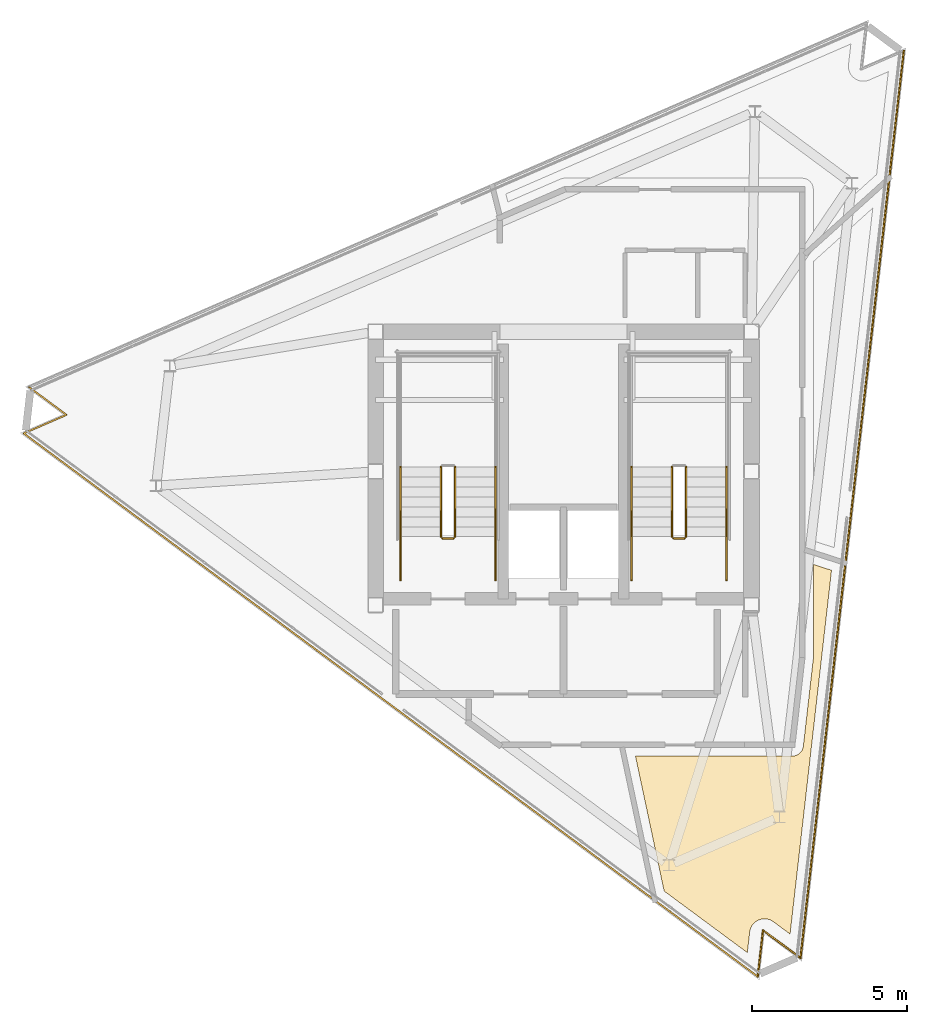
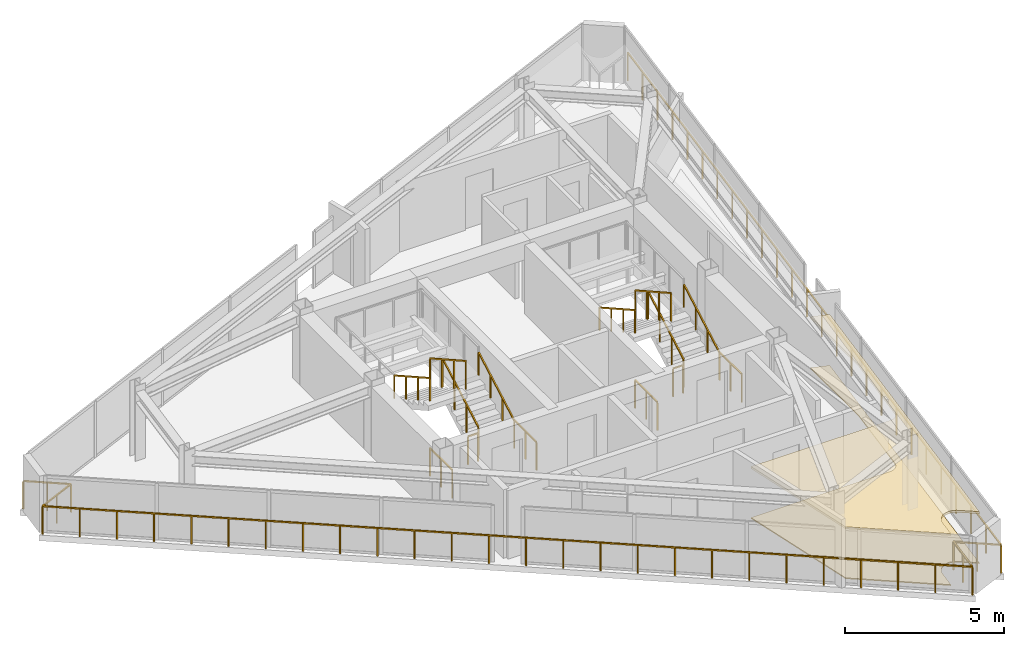
# One storey, part 8 of 9: 16 railings, 2 coverings.
"""IFC4 building model written with IfcOpenShell, lengths in metres."""

from ifc_helpers import new_model, si_unit, direction, frame, origin, origin_2d, place, context, subcontext, project, spatial, polyline, rectangle, outline, extrude, material, layer, layer_set, type_object, element, save


model = new_model("IFC4")

# Units and contexts
model_context = context("Model", 3, precision=1e-05, world=origin(), true_north=direction((0.0, 1.0)))
body_context = subcontext(model_context, "Body", "Model", "MODEL_VIEW")
ifc_project = project(units=[si_unit("LENGTHUNIT", "METRE"), si_unit("AREAUNIT", "SQUARE_METRE"), si_unit("VOLUMEUNIT", "CUBIC_METRE"), si_unit("PLANEANGLEUNIT", "RADIAN"), si_unit("MASSUNIT", "GRAM", prefix="KILO")], contexts=[model_context])

# Site, building, storey
site_placement = place(None, origin())
site = spatial("IfcSite", under=ifc_project, at=site_placement, CompositionType="ELEMENT")
building_placement = place(site_placement, origin())
building = spatial("IfcBuilding", under=site, at=building_placement, Name="Rocaltana Carrier Exchange", CompositionType="ELEMENT")
storey_placement = place(building_placement, frame((0.0, 0.0, 249.1201171875)))
storey = spatial("IfcBuildingStorey", under=building, at=storey_placement, Name="L79", CompositionType="ELEMENT", Elevation=249.1201171875)

# Coverings
ifc_material_1 = material(Name="Honed Bogota Sandstone Tile", Category="masonry")
ifc_layer_1 = layer(ifc_material_1, 0.0400390625)
ifc_layer_set_1 = layer_set([ifc_layer_1], Name="Honed Bogota Sandstone Tile")
covering_type_1 = type_object("IfcCoveringType", Name="Honed Stone Lobby Flooring 40", PredefinedType="FLOORING", material=ifc_layer_set_1)
covering_1_placement = place(storey_placement, origin())
element("IfcCovering", 1, at=covering_1_placement, inside=storey, type_object=covering_type_1, Name="L79 Staff Break Pantry Finish Floor", PredefinedType="FLOORING", context=body_context, shape_type="SweptSolid", body=[
    extrude(outline(polyline([(7.2919921875, -14.889892578125), (6.754638671875, -14.4921875), (6.7431640625, -14.484130859375), (6.7265625, -14.47314453125), (6.70263671875, -14.458740234375), (6.68505859375, -14.449462890625), (6.65966796875, -14.4375), (6.64111328125, -14.43017578125), (6.614990234375, -14.4208984375), (6.595703125, -14.415283203125), (6.568603515625, -14.40869140625), (6.549072265625, -14.40478515625), (6.521484375, -14.40087890625), (6.501708984375, -14.399169921875), (6.4736328125, -14.398193359375), (6.45361328125, -14.3984375), (6.42578125, -14.400146484375), (6.406005859375, -14.40234375), (6.37841796875, -14.40673828125), (6.35888671875, -14.410888671875), (6.33203125, -14.418212890625), (6.31298828125, -14.42431640625), (6.286865234375, -14.43408203125), (6.268798828125, -14.44189453125), (6.24365234375, -14.454345703125), (6.226318359375, -14.464111328125), (6.20263671875, -14.47900390625), (6.186279296875, -14.490478515625), (6.164306640625, -14.507568359375), (6.149169921875, -14.5205078125), (6.12890625, -14.539794921875), (6.114990234375, -14.55419921875), (6.0966796875, -14.5751953125), (6.084716796875, -14.591064453125), (6.068603515625, -14.61376953125), (6.057861328125, -14.630615234375), (6.044189453125, -14.655029296875), (6.035400390625, -14.6728515625), (6.024169921875, -14.698486328125), (6.01708984375, -14.717041015625), (6.00830078125, -14.74365234375), (6.00341796875, -14.762939453125), (5.997314453125, -14.790283203125), (5.994140625, -14.809814453125), (5.9921875, -14.82373046875), (5.91650390625, -15.48779296875), (3.239013671875, -13.506591796875), (2.315185546875, -9.159912109375), (7.36181640625, -9.159912109375), (7.37548828125, -9.15966796875), (7.38330078125, -9.1591796875), (7.410400390625, -9.15673828125), (7.41796875, -9.155517578125), (7.444580078125, -9.150390625), (7.452392578125, -9.1484375), (7.478271484375, -9.140625), (7.485595703125, -9.137939453125), (7.5107421875, -9.127685546875), (7.517822265625, -9.12451171875), (7.5419921875, -9.11181640625), (7.548583984375, -9.10791015625), (7.5712890625, -9.0927734375), (7.577392578125, -9.088134765625), (7.5986328125, -9.071044921875), (7.6044921875, -9.06591796875), (7.623779296875, -9.046875), (7.629150390625, -9.041015625), (7.646484375, -9.020263671875), (7.6513671875, -9.01416015625), (7.66650390625, -8.99169921875), (7.670654296875, -8.985107421875), (7.683837890625, -8.961181640625), (7.687255859375, -8.9541015625), (7.697998046875, -8.92919921875), (7.70068359375, -8.921875), (7.708740234375, -8.89599609375), (7.710693359375, -8.888427734375), (7.716552734375, -8.86181640625), (7.7177734375, -8.854248046875), (7.719482421875, -8.8408203125), (8.03759765625, -6.049072265625), (8.0390625, -6.033203125), (8.03955078125, -6.024169921875), (8.0400390625, -6.00830078125), (8.0400390625, -2.990966796875), (8.626220703125, -3.181396484375), (7.2919921875, -14.889892578125)])), origin(), (0.0, 0.0, 1.0), 0.039794921875),
])
ifc_material_2 = material(Name="Anodised Aluminium 6063-T6", Category="aluminium")
ifc_layer_2 = layer(ifc_material_2, 0.0849609375)
ifc_layer_set_2 = layer_set([ifc_layer_2], Name="Anodised Aluminium 6063-T6")
covering_type_2 = type_object("IfcCoveringType", Name="Linear Baffle Acoustic Ceiling 85", PredefinedType="CEILING", material=ifc_layer_set_2)
covering_2_placement = place(storey_placement, frame((0.0, 0.0, 1.912841796875)))
element("IfcCovering", 2, at=covering_2_placement, inside=storey, type_object=covering_type_2, Name="L79 Staff Break Pantry Acoustic Ceiling", PredefinedType="CEILING", context=body_context, shape_type="SweptSolid", body=[
    extrude(outline(polyline([(7.2919921875, -14.889892578125), (6.754638671875, -14.4921875), (6.7431640625, -14.484130859375), (6.7265625, -14.47314453125), (6.70263671875, -14.458740234375), (6.68505859375, -14.449462890625), (6.65966796875, -14.4375), (6.64111328125, -14.43017578125), (6.614990234375, -14.4208984375), (6.595703125, -14.415283203125), (6.568603515625, -14.40869140625), (6.549072265625, -14.40478515625), (6.521484375, -14.40087890625), (6.501708984375, -14.399169921875), (6.4736328125, -14.398193359375), (6.45361328125, -14.3984375), (6.42578125, -14.400146484375), (6.406005859375, -14.40234375), (6.37841796875, -14.40673828125), (6.35888671875, -14.410888671875), (6.33203125, -14.418212890625), (6.31298828125, -14.42431640625), (6.286865234375, -14.43408203125), (6.268798828125, -14.44189453125), (6.24365234375, -14.454345703125), (6.226318359375, -14.464111328125), (6.20263671875, -14.47900390625), (6.186279296875, -14.490478515625), (6.164306640625, -14.507568359375), (6.149169921875, -14.5205078125), (6.12890625, -14.539794921875), (6.114990234375, -14.55419921875), (6.0966796875, -14.5751953125), (6.084716796875, -14.591064453125), (6.068603515625, -14.61376953125), (6.057861328125, -14.630615234375), (6.044189453125, -14.655029296875), (6.035400390625, -14.6728515625), (6.024169921875, -14.698486328125), (6.01708984375, -14.717041015625), (6.00830078125, -14.74365234375), (6.00341796875, -14.762939453125), (5.997314453125, -14.790283203125), (5.994140625, -14.809814453125), (5.9921875, -14.82373046875), (5.91650390625, -15.48779296875), (3.239013671875, -13.506591796875), (2.315185546875, -9.159912109375), (7.36181640625, -9.159912109375), (7.37548828125, -9.15966796875), (7.38330078125, -9.1591796875), (7.410400390625, -9.15673828125), (7.41796875, -9.155517578125), (7.444580078125, -9.150390625), (7.452392578125, -9.1484375), (7.478271484375, -9.140625), (7.485595703125, -9.137939453125), (7.5107421875, -9.127685546875), (7.517822265625, -9.12451171875), (7.5419921875, -9.11181640625), (7.548583984375, -9.10791015625), (7.5712890625, -9.0927734375), (7.577392578125, -9.088134765625), (7.5986328125, -9.071044921875), (7.6044921875, -9.06591796875), (7.623779296875, -9.046875), (7.629150390625, -9.041015625), (7.646484375, -9.020263671875), (7.6513671875, -9.01416015625), (7.66650390625, -8.99169921875), (7.670654296875, -8.985107421875), (7.683837890625, -8.961181640625), (7.687255859375, -8.9541015625), (7.697998046875, -8.92919921875), (7.70068359375, -8.921875), (7.708740234375, -8.89599609375), (7.710693359375, -8.888427734375), (7.716552734375, -8.86181640625), (7.7177734375, -8.854248046875), (7.719482421875, -8.8408203125), (8.03759765625, -6.049072265625), (8.0390625, -6.033203125), (8.03955078125, -6.024169921875), (8.0400390625, -6.00830078125), (8.0400390625, -2.990966796875), (8.626220703125, -3.181396484375), (7.2919921875, -14.889892578125)])), origin(), (0.0, 0.0, 1.0), 0.0849609375),
])

# Railings
ifc_material_3 = material(Name="Brushed Architectural Stainless Tube", Category="steel")
ifc_layer_3 = layer(ifc_material_3, 0.048095703125)
ifc_layer_set_3 = layer_set([ifc_layer_3], Name="Brushed Architectural Stainless Tube")
railing_type_1 = type_object("IfcRailingType", Name="Stair Wall Handrail 920", PredefinedType="HANDRAIL", material=ifc_layer_set_3)
railing_1_placement = place(storey_placement, frame((-2.18994140625, -2.10009765625, 0.179931640625)))
element("IfcRailing", 3, at=railing_1_placement, inside=storey, type_object=railing_type_1, Name="L79 ST-1 stair handrail 1", PredefinedType="HANDRAIL", context=body_context, shape_type="SweptSolid", body=[
    extrude(rectangle(XDim=0.048095703125, YDim=0.048095703125, at=origin_2d()), frame((0.0, 0.0, 0.8759765625), z_axis=(0.0, 0.871573000172, 0.490265749743), x_axis=(-1.0, 0.0, 0.0)), (0.0, 0.0, 1.0), 2.570068359375),
    extrude(rectangle(XDim=0.0419921875, YDim=0.0419921875, at=origin_2d()), origin(), (0.0, 0.0, 1.0), 0.851806640625),
    extrude(rectangle(XDim=0.0419921875, YDim=0.0419921875, at=origin_2d()), frame((0.0, 0.74658203125, 0.419921875)), (0.0, 0.0, 1.0), 0.851806640625),
    extrude(rectangle(XDim=0.0419921875, YDim=0.0419921875, at=origin_2d()), frame((0.0, 1.493408203125, 0.840087890625)), (0.0, 0.0, 1.0), 0.851806640625),
    extrude(rectangle(XDim=0.0419921875, YDim=0.0419921875, at=origin_2d()), frame((0.0, 2.239990234375, 1.260009765625)), (0.0, 0.0, 1.0), 0.851806640625),
])
railing_2_placement = place(storey_placement, frame((-5.25, 0.139892578125, 1.619873046875)))
element("IfcRailing", 4, at=railing_2_placement, inside=storey, type_object=railing_type_1, Name="L79 ST-1 stair handrail 2", PredefinedType="HANDRAIL", context=body_context, shape_type="SweptSolid", body=[
    extrude(rectangle(XDim=0.048095703125, YDim=0.048095703125, at=origin_2d()), frame((0.0, 0.0, 0.8759765625), z_axis=(0.0, -0.871573000172, 0.490265749743), x_axis=(1.0, 0.0, 0.0)), (0.0, 0.0, 1.0), 2.570068359375),
    extrude(rectangle(XDim=0.0419921875, YDim=0.0419921875, at=origin_2d()), origin(), (0.0, 0.0, 1.0), 0.851806640625),
    extrude(rectangle(XDim=0.0419921875, YDim=0.0419921875, at=origin_2d()), frame((0.0, -0.74658203125, 0.419921875)), (0.0, 0.0, 1.0), 0.851806640625),
    extrude(rectangle(XDim=0.0419921875, YDim=0.0419921875, at=origin_2d()), frame((0.0, -1.493408203125, 0.840087890625)), (0.0, 0.0, 1.0), 0.851806640625),
    extrude(rectangle(XDim=0.0419921875, YDim=0.0419921875, at=origin_2d()), frame((0.0, -2.239990234375, 1.260009765625)), (0.0, 0.0, 1.0), 0.851806640625),
])
railing_3_placement = place(storey_placement, frame((5.25, -2.10009765625, 0.179931640625)))
element("IfcRailing", 5, at=railing_3_placement, inside=storey, type_object=railing_type_1, Name="L79 ST-2 stair handrail 1", PredefinedType="HANDRAIL", context=body_context, shape_type="SweptSolid", body=[
    extrude(rectangle(XDim=0.048095703125, YDim=0.048095703125, at=origin_2d()), frame((0.0, 0.0, 0.8759765625), z_axis=(0.0, 0.871573000172, 0.490265749743), x_axis=(-1.0, 0.0, 0.0)), (0.0, 0.0, 1.0), 2.570068359375),
    extrude(rectangle(XDim=0.0419921875, YDim=0.0419921875, at=origin_2d()), origin(), (0.0, 0.0, 1.0), 0.851806640625),
    extrude(rectangle(XDim=0.0419921875, YDim=0.0419921875, at=origin_2d()), frame((0.0, 0.74658203125, 0.419921875)), (0.0, 0.0, 1.0), 0.851806640625),
    extrude(rectangle(XDim=0.0419921875, YDim=0.0419921875, at=origin_2d()), frame((0.0, 1.493408203125, 0.840087890625)), (0.0, 0.0, 1.0), 0.851806640625),
    extrude(rectangle(XDim=0.0419921875, YDim=0.0419921875, at=origin_2d()), frame((0.0, 2.239990234375, 1.260009765625)), (0.0, 0.0, 1.0), 0.851806640625),
])
railing_4_placement = place(storey_placement, frame((2.18994140625, 0.139892578125, 1.619873046875)))
element("IfcRailing", 6, at=railing_4_placement, inside=storey, type_object=railing_type_1, Name="L79 ST-2 stair handrail 2", PredefinedType="HANDRAIL", context=body_context, shape_type="SweptSolid", body=[
    extrude(rectangle(XDim=0.048095703125, YDim=0.048095703125, at=origin_2d()), frame((0.0, 0.0, 0.8759765625), z_axis=(0.0, -0.871573000172, 0.490265749743), x_axis=(1.0, 0.0, 0.0)), (0.0, 0.0, 1.0), 2.570068359375),
    extrude(rectangle(XDim=0.0419921875, YDim=0.0419921875, at=origin_2d()), origin(), (0.0, 0.0, 1.0), 0.851806640625),
    extrude(rectangle(XDim=0.0419921875, YDim=0.0419921875, at=origin_2d()), frame((0.0, -0.74658203125, 0.419921875)), (0.0, 0.0, 1.0), 0.851806640625),
    extrude(rectangle(XDim=0.0419921875, YDim=0.0419921875, at=origin_2d()), frame((0.0, -1.493408203125, 0.840087890625)), (0.0, 0.0, 1.0), 0.851806640625),
    extrude(rectangle(XDim=0.0419921875, YDim=0.0419921875, at=origin_2d()), frame((0.0, -2.239990234375, 1.260009765625)), (0.0, 0.0, 1.0), 0.851806640625),
])
ifc_material_4 = material(Name="Powder-Coated Aluminium 6063-T6", Category="aluminium")
ifc_layer_4 = layer(ifc_material_4, 0.048095703125)
ifc_layer_set_4 = layer_set([ifc_layer_4], Name="Powder-Coated Aluminium 6063-T6")
railing_type_2 = type_object("IfcRailingType", Name="Stair Well Guardrail 1100", PredefinedType="GUARDRAIL", material=ifc_layer_set_4)
railing_5_placement = place(storey_placement, frame((-3.489990234375, -2.10009765625, 0.179931640625)))
element("IfcRailing", 7, at=railing_5_placement, inside=storey, type_object=railing_type_2, Name="L79 ST-1 stair guard 1", PredefinedType="GUARDRAIL", context=body_context, shape_type="SweptSolid", body=[
    extrude(rectangle(XDim=0.048095703125, YDim=0.048095703125, at=origin_2d()), frame((0.0, 0.0, 1.076171875), z_axis=(0.0, 0.871573000172, 0.490265749743), x_axis=(-1.0, 0.0, 0.0)), (0.0, 0.0, 1.0), 2.570068359375),
    extrude(rectangle(XDim=0.0419921875, YDim=0.0419921875, at=origin_2d()), origin(), (0.0, 0.0, 1.0), 1.052001953125),
    extrude(rectangle(XDim=0.0419921875, YDim=0.0419921875, at=origin_2d()), frame((0.0, 0.74658203125, 0.419921875)), (0.0, 0.0, 1.0), 1.052001953125),
    extrude(rectangle(XDim=0.0419921875, YDim=0.0419921875, at=origin_2d()), frame((0.0, 1.493408203125, 0.840087890625)), (0.0, 0.0, 1.0), 1.052001953125),
    extrude(rectangle(XDim=0.0419921875, YDim=0.0419921875, at=origin_2d()), frame((0.0, 2.239990234375, 1.260009765625)), (0.0, 0.0, 1.0), 1.052001953125),
])
railing_6_placement = place(storey_placement, frame((-3.949951171875, 0.139892578125, 1.619873046875)))
element("IfcRailing", 8, at=railing_6_placement, inside=storey, type_object=railing_type_2, Name="L79 ST-1 stair guard 6", PredefinedType="GUARDRAIL", context=body_context, shape_type="SweptSolid", body=[
    extrude(rectangle(XDim=0.048095703125, YDim=0.048095703125, at=origin_2d()), frame((0.0, 0.0, 1.076171875), z_axis=(0.0, -0.871573000172, 0.490265749743), x_axis=(1.0, 0.0, 0.0)), (0.0, 0.0, 1.0), 2.570068359375),
    extrude(rectangle(XDim=0.0419921875, YDim=0.0419921875, at=origin_2d()), origin(), (0.0, 0.0, 1.0), 1.052001953125),
    extrude(rectangle(XDim=0.0419921875, YDim=0.0419921875, at=origin_2d()), frame((0.0, -0.74658203125, 0.419921875)), (0.0, 0.0, 1.0), 1.052001953125),
    extrude(rectangle(XDim=0.0419921875, YDim=0.0419921875, at=origin_2d()), frame((0.0, -1.493408203125, 0.840087890625)), (0.0, 0.0, 1.0), 1.052001953125),
    extrude(rectangle(XDim=0.0419921875, YDim=0.0419921875, at=origin_2d()), frame((0.0, -2.239990234375, 1.260009765625)), (0.0, 0.0, 1.0), 1.052001953125),
])
railing_7_placement = place(storey_placement, frame((-3.5400390625, -2.14990234375, 0.0)))
element("IfcRailing", 9, at=railing_7_placement, inside=storey, type_object=railing_type_2, Name="L79 ST-1 stair guard 7", PredefinedType="GUARDRAIL", context=body_context, shape_type="SweptSolid", body=[
    extrude(rectangle(XDim=0.048095703125, YDim=0.048095703125, at=origin_2d()), frame((0.0, 0.0, 1.076171875), z_axis=(-1.0, 0.0, 0.0), x_axis=(0.0, -1.0, 0.0)), (0.0, 0.0, 1.0), 0.35986328125),
    extrude(rectangle(XDim=0.0419921875, YDim=0.0419921875, at=origin_2d()), origin(), (0.0, 0.0, 1.0), 1.052001953125),
    extrude(rectangle(XDim=0.0419921875, YDim=0.0419921875, at=origin_2d()), frame((-0.35986328125, 0.0, 0.0)), (0.0, 0.0, 1.0), 1.052001953125),
])
for number, where, name in (
    (10, (-2.18994140625, -3.5, 0.0), "L79 ST-1 stair guard 8"),
    (11, (-5.25, -3.5, 0.0), "L79 ST-1 stair guard 9"),
):
    element("IfcRailing", number, at=place(storey_placement, frame(where)), inside=storey, type_object=railing_type_2, Name=name, PredefinedType="GUARDRAIL", context=body_context, shape_type="SweptSolid", body=[
        extrude(rectangle(XDim=0.048095703125, YDim=0.048095703125, at=origin_2d()), frame((0.0, 0.0, 1.076171875), z_axis=(0.0, 1.0, 0.0), x_axis=(-1.0, 0.0, 0.0)), (0.0, 0.0, 1.0), 1.39990234375),
        extrude(rectangle(XDim=0.0419921875, YDim=0.0419921875, at=origin_2d()), origin(), (0.0, 0.0, 1.0), 1.052001953125),
        extrude(rectangle(XDim=0.0419921875, YDim=0.0419921875, at=origin_2d()), frame((0.0, 0.699951171875, 0.0)), (0.0, 0.0, 1.0), 1.052001953125),
        extrude(rectangle(XDim=0.0419921875, YDim=0.0419921875, at=origin_2d()), frame((0.0, 1.39990234375, 0.0)), (0.0, 0.0, 1.0), 1.052001953125),
    ])
railing_8_placement = place(storey_placement, frame((3.949951171875, -2.10009765625, 0.179931640625)))
element("IfcRailing", 12, at=railing_8_placement, inside=storey, type_object=railing_type_2, Name="L79 ST-2 stair guard 1", PredefinedType="GUARDRAIL", context=body_context, shape_type="SweptSolid", body=[
    extrude(rectangle(XDim=0.048095703125, YDim=0.048095703125, at=origin_2d()), frame((0.0, 0.0, 1.076171875), z_axis=(0.0, 0.871573000172, 0.490265749743), x_axis=(-1.0, 0.0, 0.0)), (0.0, 0.0, 1.0), 2.570068359375),
    extrude(rectangle(XDim=0.0419921875, YDim=0.0419921875, at=origin_2d()), origin(), (0.0, 0.0, 1.0), 1.052001953125),
    extrude(rectangle(XDim=0.0419921875, YDim=0.0419921875, at=origin_2d()), frame((0.0, 0.74658203125, 0.419921875)), (0.0, 0.0, 1.0), 1.052001953125),
    extrude(rectangle(XDim=0.0419921875, YDim=0.0419921875, at=origin_2d()), frame((0.0, 1.493408203125, 0.840087890625)), (0.0, 0.0, 1.0), 1.052001953125),
    extrude(rectangle(XDim=0.0419921875, YDim=0.0419921875, at=origin_2d()), frame((0.0, 2.239990234375, 1.260009765625)), (0.0, 0.0, 1.0), 1.052001953125),
])
railing_9_placement = place(storey_placement, frame((3.489990234375, 0.139892578125, 1.619873046875)))
element("IfcRailing", 13, at=railing_9_placement, inside=storey, type_object=railing_type_2, Name="L79 ST-2 stair guard 6", PredefinedType="GUARDRAIL", context=body_context, shape_type="SweptSolid", body=[
    extrude(rectangle(XDim=0.048095703125, YDim=0.048095703125, at=origin_2d()), frame((0.0, 0.0, 1.076171875), z_axis=(0.0, -0.871573000172, 0.490265749743), x_axis=(1.0, 0.0, 0.0)), (0.0, 0.0, 1.0), 2.570068359375),
    extrude(rectangle(XDim=0.0419921875, YDim=0.0419921875, at=origin_2d()), origin(), (0.0, 0.0, 1.0), 1.052001953125),
    extrude(rectangle(XDim=0.0419921875, YDim=0.0419921875, at=origin_2d()), frame((0.0, -0.74658203125, 0.419921875)), (0.0, 0.0, 1.0), 1.052001953125),
    extrude(rectangle(XDim=0.0419921875, YDim=0.0419921875, at=origin_2d()), frame((0.0, -1.493408203125, 0.840087890625)), (0.0, 0.0, 1.0), 1.052001953125),
    extrude(rectangle(XDim=0.0419921875, YDim=0.0419921875, at=origin_2d()), frame((0.0, -2.239990234375, 1.260009765625)), (0.0, 0.0, 1.0), 1.052001953125),
])
railing_10_placement = place(storey_placement, frame((3.89990234375, -2.14990234375, 0.0)))
element("IfcRailing", 14, at=railing_10_placement, inside=storey, type_object=railing_type_2, Name="L79 ST-2 stair guard 7", PredefinedType="GUARDRAIL", context=body_context, shape_type="SweptSolid", body=[
    extrude(rectangle(XDim=0.048095703125, YDim=0.048095703125, at=origin_2d()), frame((0.0, 0.0, 1.076171875), z_axis=(-1.0, 0.0, 0.0), x_axis=(0.0, -1.0, 0.0)), (0.0, 0.0, 1.0), 0.35986328125),
    extrude(rectangle(XDim=0.0419921875, YDim=0.0419921875, at=origin_2d()), origin(), (0.0, 0.0, 1.0), 1.052001953125),
    extrude(rectangle(XDim=0.0419921875, YDim=0.0419921875, at=origin_2d()), frame((-0.35986328125, 0.0, 0.0)), (0.0, 0.0, 1.0), 1.052001953125),
])
for number, where, name in (
    (15, (5.25, -3.5, 0.0), "L79 ST-2 stair guard 8"),
    (16, (2.18994140625, -3.5, 0.0), "L79 ST-2 stair guard 9"),
):
    element("IfcRailing", number, at=place(storey_placement, frame(where)), inside=storey, type_object=railing_type_2, Name=name, PredefinedType="GUARDRAIL", context=body_context, shape_type="SweptSolid", body=[
        extrude(rectangle(XDim=0.048095703125, YDim=0.048095703125, at=origin_2d()), frame((0.0, 0.0, 1.076171875), z_axis=(0.0, 1.0, 0.0), x_axis=(-1.0, 0.0, 0.0)), (0.0, 0.0, 1.0), 1.39990234375),
        extrude(rectangle(XDim=0.0419921875, YDim=0.0419921875, at=origin_2d()), origin(), (0.0, 0.0, 1.0), 1.052001953125),
        extrude(rectangle(XDim=0.0419921875, YDim=0.0419921875, at=origin_2d()), frame((0.0, 0.699951171875, 0.0)), (0.0, 0.0, 1.0), 1.052001953125),
        extrude(rectangle(XDim=0.0419921875, YDim=0.0419921875, at=origin_2d()), frame((0.0, 1.39990234375, 0.0)), (0.0, 0.0, 1.0), 1.052001953125),
    ])
ifc_material_5 = material(Name="Powder-Coated Aluminium 6063-T6", Category="aluminium")
ifc_layer_5 = layer(ifc_material_5, 0.06005859375)
ifc_layer_set_5 = layer_set([ifc_layer_5], Name="Powder-Coated Aluminium 6063-T6")
railing_type_3 = type_object("IfcRailingType", Name="Wind-Floor & Terrace Perimeter Guardrail 1100", PredefinedType="GUARDRAIL", material=ifc_layer_set_5)
railing_11_placement = place(storey_placement, frame((6.25146484375, -16.25830078125, 0.0)))
element("IfcRailing", 17, at=railing_11_placement, inside=storey, type_object=railing_type_3, Name="L79 Perimeter Balcony Guardrail 1", PredefinedType="GUARDRAIL", context=body_context, shape_type="SweptSolid", body=[
    extrude(rectangle(XDim=0.048095703125, YDim=0.048095703125, at=origin_2d()), frame((0.0, 0.0, 1.076171875), z_axis=(-0.803854767515, 0.594825615406, 0.0), x_axis=(-0.594825615406, -0.803854767515, 0.0)), (0.0, 0.0, 1.0), 29.39208984375),
    extrude(rectangle(XDim=0.048095703125, YDim=0.048095703125, at=origin_2d()), frame((-23.626953125, 17.483154296875, 1.076171875), z_axis=(0.917044176795, 0.398785628887, 0.0), x_axis=(-0.398785628887, 0.917044176795, 0.0)), (0.0, 0.0, 1.0), 1.5),
    extrude(rectangle(XDim=0.048095703125, YDim=0.048095703125, at=origin_2d()), frame((-22.25146484375, 18.081298828125, 1.076171875), z_axis=(-0.803908826949, 0.594752551867, 0.0), x_axis=(-0.594752551867, -0.803908826949, 0.0)), (0.0, 0.0, 1.0), 1.5),
    extrude(rectangle(XDim=0.0419921875, YDim=0.0419921875, at=origin_2d()), origin(), (0.0, 0.0, 1.0), 1.052001953125),
    extrude(rectangle(XDim=0.0419921875, YDim=0.0419921875, at=origin_2d()), frame((-0.945068359375, 0.69921875, 0.0)), (0.0, 0.0, 1.0), 1.052001953125),
    extrude(rectangle(XDim=0.0419921875, YDim=0.0419921875, at=origin_2d()), frame((-1.89013671875, 1.398681640625, 0.0)), (0.0, 0.0, 1.0), 1.052001953125),
    extrude(rectangle(XDim=0.0419921875, YDim=0.0419921875, at=origin_2d()), frame((-2.835205078125, 2.097900390625, 0.0)), (0.0, 0.0, 1.0), 1.052001953125),
    extrude(rectangle(XDim=0.0419921875, YDim=0.0419921875, at=origin_2d()), frame((-3.7802734375, 2.79736328125, 0.0)), (0.0, 0.0, 1.0), 1.052001953125),
    extrude(rectangle(XDim=0.0419921875, YDim=0.0419921875, at=origin_2d()), frame((-4.725341796875, 3.49658203125, 0.0)), (0.0, 0.0, 1.0), 1.052001953125),
    extrude(rectangle(XDim=0.0419921875, YDim=0.0419921875, at=origin_2d()), frame((-5.67041015625, 4.196044921875, 0.0)), (0.0, 0.0, 1.0), 1.052001953125),
    extrude(rectangle(XDim=0.0419921875, YDim=0.0419921875, at=origin_2d()), frame((-6.615478515625, 4.895263671875, 0.0)), (0.0, 0.0, 1.0), 1.052001953125),
    extrude(rectangle(XDim=0.0419921875, YDim=0.0419921875, at=origin_2d()), frame((-7.560546875, 5.5947265625, 0.0)), (0.0, 0.0, 1.0), 1.052001953125),
    extrude(rectangle(XDim=0.0419921875, YDim=0.0419921875, at=origin_2d()), frame((-8.505615234375, 6.2939453125, 0.0)), (0.0, 0.0, 1.0), 1.052001953125),
    extrude(rectangle(XDim=0.0419921875, YDim=0.0419921875, at=origin_2d()), frame((-9.45068359375, 6.9931640625, 0.0)), (0.0, 0.0, 1.0), 1.052001953125),
    extrude(rectangle(XDim=0.0419921875, YDim=0.0419921875, at=origin_2d()), frame((-10.395751953125, 7.692626953125, 0.0)), (0.0, 0.0, 1.0), 1.052001953125),
    extrude(rectangle(XDim=0.0419921875, YDim=0.0419921875, at=origin_2d()), frame((-11.3408203125, 8.391845703125, 0.0)), (0.0, 0.0, 1.0), 1.052001953125),
    extrude(rectangle(XDim=0.0419921875, YDim=0.0419921875, at=origin_2d()), frame((-12.2861328125, 9.09130859375, 0.0)), (0.0, 0.0, 1.0), 1.052001953125),
    extrude(rectangle(XDim=0.0419921875, YDim=0.0419921875, at=origin_2d()), frame((-13.231201171875, 9.79052734375, 0.0)), (0.0, 0.0, 1.0), 1.052001953125),
    extrude(rectangle(XDim=0.0419921875, YDim=0.0419921875, at=origin_2d()), frame((-14.17626953125, 10.489990234375, 0.0)), (0.0, 0.0, 1.0), 1.052001953125),
    extrude(rectangle(XDim=0.0419921875, YDim=0.0419921875, at=origin_2d()), frame((-15.121337890625, 11.189208984375, 0.0)), (0.0, 0.0, 1.0), 1.052001953125),
    extrude(rectangle(XDim=0.0419921875, YDim=0.0419921875, at=origin_2d()), frame((-16.06640625, 11.888427734375, 0.0)), (0.0, 0.0, 1.0), 1.052001953125),
    extrude(rectangle(XDim=0.0419921875, YDim=0.0419921875, at=origin_2d()), frame((-17.011474609375, 12.587890625, 0.0)), (0.0, 0.0, 1.0), 1.052001953125),
    extrude(rectangle(XDim=0.0419921875, YDim=0.0419921875, at=origin_2d()), frame((-17.95654296875, 13.287109375, 0.0)), (0.0, 0.0, 1.0), 1.052001953125),
    extrude(rectangle(XDim=0.0419921875, YDim=0.0419921875, at=origin_2d()), frame((-18.901611328125, 13.986572265625, 0.0)), (0.0, 0.0, 1.0), 1.052001953125),
    extrude(rectangle(XDim=0.0419921875, YDim=0.0419921875, at=origin_2d()), frame((-19.8466796875, 14.685791015625, 0.0)), (0.0, 0.0, 1.0), 1.052001953125),
    extrude(rectangle(XDim=0.0419921875, YDim=0.0419921875, at=origin_2d()), frame((-20.791748046875, 15.38525390625, 0.0)), (0.0, 0.0, 1.0), 1.052001953125),
    extrude(rectangle(XDim=0.0419921875, YDim=0.0419921875, at=origin_2d()), frame((-21.73681640625, 16.08447265625, 0.0)), (0.0, 0.0, 1.0), 1.052001953125),
    extrude(rectangle(XDim=0.0419921875, YDim=0.0419921875, at=origin_2d()), frame((-22.681884765625, 16.783935546875, 0.0)), (0.0, 0.0, 1.0), 1.052001953125),
    extrude(rectangle(XDim=0.0419921875, YDim=0.0419921875, at=origin_2d()), frame((-23.626953125, 17.483154296875, 0.0)), (0.0, 0.0, 1.0), 1.052001953125),
    extrude(rectangle(XDim=0.0419921875, YDim=0.0419921875, at=origin_2d()), frame((-22.939208984375, 17.7822265625, 0.0)), (0.0, 0.0, 1.0), 1.052001953125),
    extrude(rectangle(XDim=0.0419921875, YDim=0.0419921875, at=origin_2d()), frame((-22.25146484375, 18.081298828125, 0.0)), (0.0, 0.0, 1.0), 1.052001953125),
    extrude(rectangle(XDim=0.0419921875, YDim=0.0419921875, at=origin_2d()), frame((-22.8544921875, 18.52734375, 0.0)), (0.0, 0.0, 1.0), 1.052001953125),
    extrude(rectangle(XDim=0.0419921875, YDim=0.0419921875, at=origin_2d()), frame((-23.457275390625, 18.973388671875, 0.0)), (0.0, 0.0, 1.0), 1.052001953125),
])
railing_12_placement = place(storey_placement, frame((10.954345703125, 13.54296875, 0.0)))
element("IfcRailing", 18, at=railing_12_placement, inside=storey, type_object=railing_type_3, Name="L79 Perimeter Balcony Guardrail 3", PredefinedType="GUARDRAIL", context=body_context, shape_type="SweptSolid", body=[
    extrude(rectangle(XDim=0.048095703125, YDim=0.048095703125, at=origin_2d()), frame((0.0, 0.0, 1.076171875), z_axis=(-0.113207135592, -0.993571408833, 0.0), x_axis=(0.993571408833, -0.113207135592, 0.0)), (0.0, 0.0, 1.0), 29.39208984375),
    extrude(rectangle(XDim=0.048095703125, YDim=0.048095703125, at=origin_2d()), frame((-3.327392578125, -29.203125, 1.076171875), z_axis=(-0.803908826949, 0.594752551867, 0.0), x_axis=(-0.594752551867, -0.803908826949, 0.0)), (0.0, 0.0, 1.0), 1.5),
    extrude(rectangle(XDim=0.048095703125, YDim=0.048095703125, at=origin_2d()), frame((-4.533203125, -28.31103515625, 1.076171875), z_axis=(-0.113128821835, -0.993580328746, 0.0), x_axis=(0.993580328746, -0.113128821835, 0.0)), (0.0, 0.0, 1.0), 1.499755859375),
    extrude(rectangle(XDim=0.0419921875, YDim=0.0419921875, at=origin_2d()), origin(), (0.0, 0.0, 1.0), 1.052001953125),
    extrude(rectangle(XDim=0.0419921875, YDim=0.0419921875, at=origin_2d()), frame((-0.133056640625, -1.168212890625, 0.0)), (0.0, 0.0, 1.0), 1.052001953125),
    extrude(rectangle(XDim=0.0419921875, YDim=0.0419921875, at=origin_2d()), frame((-0.26611328125, -2.336181640625, 0.0)), (0.0, 0.0, 1.0), 1.052001953125),
    extrude(rectangle(XDim=0.0419921875, YDim=0.0419921875, at=origin_2d()), frame((-0.399169921875, -3.50439453125, 0.0)), (0.0, 0.0, 1.0), 1.052001953125),
    extrude(rectangle(XDim=0.0419921875, YDim=0.0419921875, at=origin_2d()), frame((-0.532470703125, -4.672607421875, 0.0)), (0.0, 0.0, 1.0), 1.052001953125),
    extrude(rectangle(XDim=0.0419921875, YDim=0.0419921875, at=origin_2d()), frame((-0.66552734375, -5.840576171875, 0.0)), (0.0, 0.0, 1.0), 1.052001953125),
    extrude(rectangle(XDim=0.0419921875, YDim=0.0419921875, at=origin_2d()), frame((-0.798583984375, -7.0087890625, 0.0)), (0.0, 0.0, 1.0), 1.052001953125),
    extrude(rectangle(XDim=0.0419921875, YDim=0.0419921875, at=origin_2d()), frame((-0.931640625, -8.1767578125, 0.0)), (0.0, 0.0, 1.0), 1.052001953125),
    extrude(rectangle(XDim=0.0419921875, YDim=0.0419921875, at=origin_2d()), frame((-1.064697265625, -9.344970703125, 0.0)), (0.0, 0.0, 1.0), 1.052001953125),
    extrude(rectangle(XDim=0.0419921875, YDim=0.0419921875, at=origin_2d()), frame((-1.19775390625, -10.51318359375, 0.0)), (0.0, 0.0, 1.0), 1.052001953125),
    extrude(rectangle(XDim=0.0419921875, YDim=0.0419921875, at=origin_2d()), frame((-1.3310546875, -11.68115234375, 0.0)), (0.0, 0.0, 1.0), 1.052001953125),
    extrude(rectangle(XDim=0.0419921875, YDim=0.0419921875, at=origin_2d()), frame((-1.464111328125, -12.849365234375, 0.0)), (0.0, 0.0, 1.0), 1.052001953125),
    extrude(rectangle(XDim=0.0419921875, YDim=0.0419921875, at=origin_2d()), frame((-1.59716796875, -14.017578125, 0.0)), (0.0, 0.0, 1.0), 1.052001953125),
    extrude(rectangle(XDim=0.0419921875, YDim=0.0419921875, at=origin_2d()), frame((-1.730224609375, -15.185546875, 0.0)), (0.0, 0.0, 1.0), 1.052001953125),
    extrude(rectangle(XDim=0.0419921875, YDim=0.0419921875, at=origin_2d()), frame((-1.86328125, -16.353759765625, 0.0)), (0.0, 0.0, 1.0), 1.052001953125),
    extrude(rectangle(XDim=0.0419921875, YDim=0.0419921875, at=origin_2d()), frame((-1.996337890625, -17.52197265625, 0.0)), (0.0, 0.0, 1.0), 1.052001953125),
    extrude(rectangle(XDim=0.0419921875, YDim=0.0419921875, at=origin_2d()), frame((-2.129638671875, -18.68994140625, 0.0)), (0.0, 0.0, 1.0), 1.052001953125),
    extrude(rectangle(XDim=0.0419921875, YDim=0.0419921875, at=origin_2d()), frame((-2.2626953125, -19.858154296875, 0.0)), (0.0, 0.0, 1.0), 1.052001953125),
    extrude(rectangle(XDim=0.0419921875, YDim=0.0419921875, at=origin_2d()), frame((-2.395751953125, -21.0263671875, 0.0)), (0.0, 0.0, 1.0), 1.052001953125),
    extrude(rectangle(XDim=0.0419921875, YDim=0.0419921875, at=origin_2d()), frame((-2.52880859375, -22.1943359375, 0.0)), (0.0, 0.0, 1.0), 1.052001953125),
    extrude(rectangle(XDim=0.0419921875, YDim=0.0419921875, at=origin_2d()), frame((-2.661865234375, -23.362548828125, 0.0)), (0.0, 0.0, 1.0), 1.052001953125),
    extrude(rectangle(XDim=0.0419921875, YDim=0.0419921875, at=origin_2d()), frame((-2.794921875, -24.530517578125, 0.0)), (0.0, 0.0, 1.0), 1.052001953125),
    extrude(rectangle(XDim=0.0419921875, YDim=0.0419921875, at=origin_2d()), frame((-2.92822265625, -25.69873046875, 0.0)), (0.0, 0.0, 1.0), 1.052001953125),
    extrude(rectangle(XDim=0.0419921875, YDim=0.0419921875, at=origin_2d()), frame((-3.061279296875, -26.866943359375, 0.0)), (0.0, 0.0, 1.0), 1.052001953125),
    extrude(rectangle(XDim=0.0419921875, YDim=0.0419921875, at=origin_2d()), frame((-3.1943359375, -28.034912109375, 0.0)), (0.0, 0.0, 1.0), 1.052001953125),
    extrude(rectangle(XDim=0.0419921875, YDim=0.0419921875, at=origin_2d()), frame((-3.327392578125, -29.203125, 0.0)), (0.0, 0.0, 1.0), 1.052001953125),
    extrude(rectangle(XDim=0.0419921875, YDim=0.0419921875, at=origin_2d()), frame((-3.93017578125, -28.757080078125, 0.0)), (0.0, 0.0, 1.0), 1.052001953125),
    extrude(rectangle(XDim=0.0419921875, YDim=0.0419921875, at=origin_2d()), frame((-4.533203125, -28.31103515625, 0.0)), (0.0, 0.0, 1.0), 1.052001953125),
    extrude(rectangle(XDim=0.0419921875, YDim=0.0419921875, at=origin_2d()), frame((-4.6181640625, -29.05615234375, 0.0)), (0.0, 0.0, 1.0), 1.052001953125),
    extrude(rectangle(XDim=0.0419921875, YDim=0.0419921875, at=origin_2d()), frame((-4.702880859375, -29.80126953125, 0.0)), (0.0, 0.0, 1.0), 1.052001953125),
])

save(model, "model.ifc")
